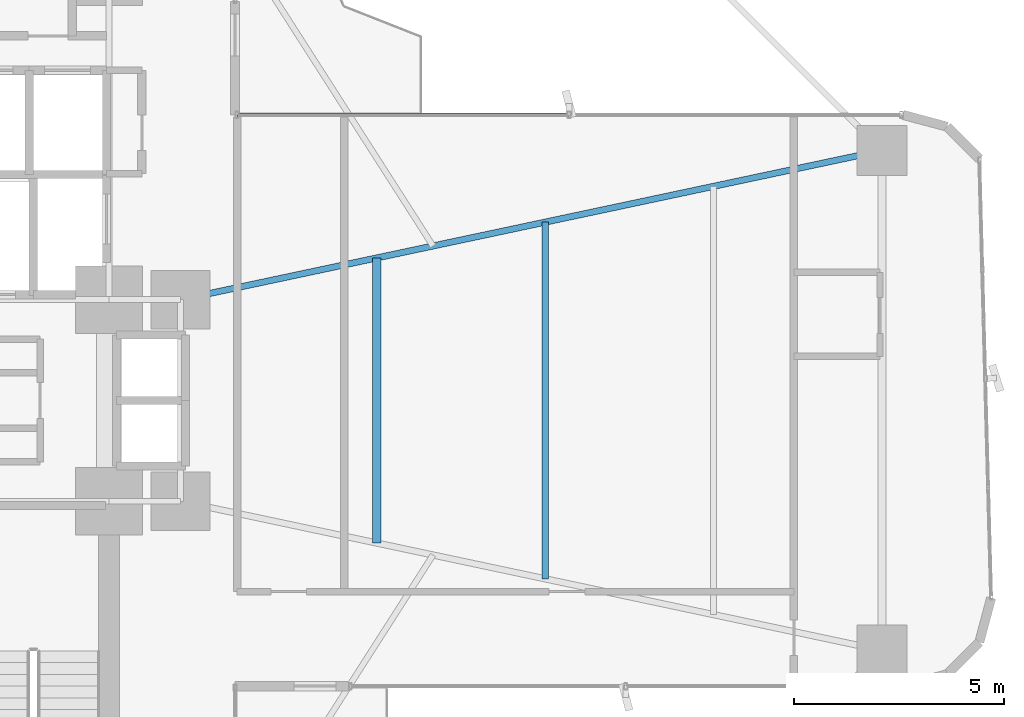
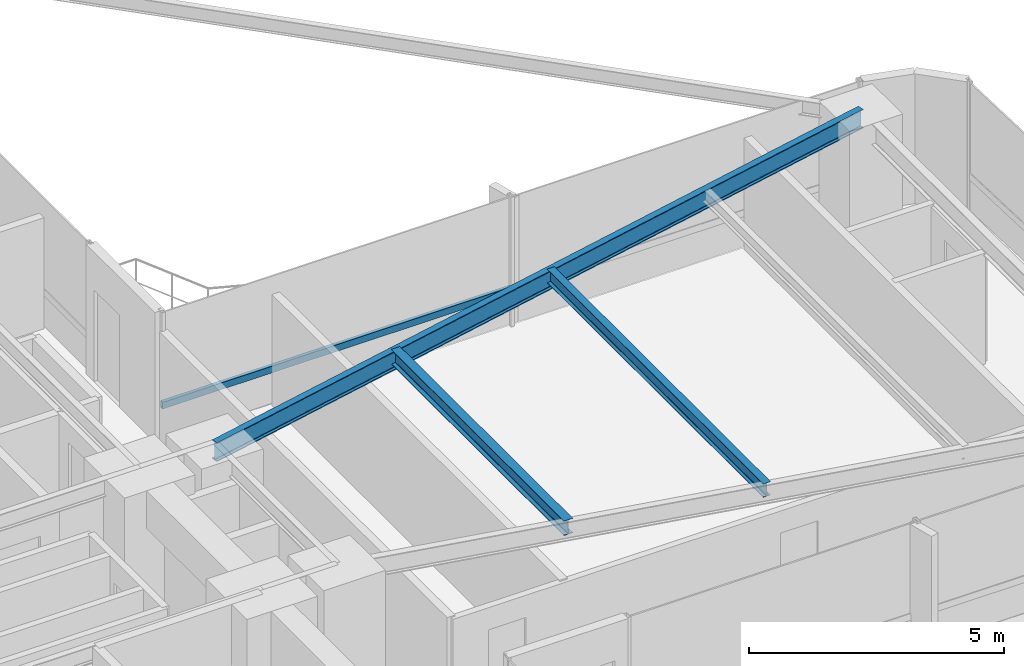
# One storey, part 15 of 25: 3 beams, 1 member, 1 element without a shape of its own.
"""IFC4 building model written with IfcOpenShell, lengths in metres."""

from ifc_helpers import new_model, si_unit, direction, frame, origin, origin_2d, place, context, subcontext, project, spatial, hollow_rectangle, i_section, extrude, source, transform, mapped, material, material_profile, profile_set, type_object, element, aggregate, save


model = new_model("IFC4")

# Units and contexts
model_context = context("Model", 3, precision=1e-05, world=origin(), true_north=direction((0.0, 1.0)))
body_context = subcontext(model_context, "Body", "Model", "MODEL_VIEW")
ifc_project = project(units=[si_unit("LENGTHUNIT", "METRE"), si_unit("AREAUNIT", "SQUARE_METRE"), si_unit("VOLUMEUNIT", "CUBIC_METRE"), si_unit("PLANEANGLEUNIT", "RADIAN"), si_unit("MASSUNIT", "GRAM", prefix="KILO")], contexts=[model_context])

# Site, building, storey
site_placement = place(None, origin())
site = spatial("IfcSite", under=ifc_project, at=site_placement, CompositionType="ELEMENT")
building_placement = place(site_placement, origin())
building = spatial("IfcBuilding", under=site, at=building_placement, Name="Sahyath Konkavel Grand Hotel", CompositionType="ELEMENT")
storey_placement = place(building_placement, frame((0.0, 0.0, 64.449951171875)))
storey = spatial("IfcBuildingStorey", under=building, at=storey_placement, Name="L17", CompositionType="ELEMENT", Elevation=64.449951171875)

# Beams
ifc_material_1 = material(Name="Steel E350", Category="steel")
ifc_material_profile_1 = material_profile(ifc_material_1, i_section(OverallWidth=0.14990234375, OverallDepth=0.449951171875, WebThickness=0.009521484375, FlangeThickness=0.017333984375, FilletRadius=0.014892578125, at=origin_2d()), Name="ISMB 450")
ifc_profile_set_1 = profile_set([ifc_material_profile_1], Name="Steel E350")
beam_type_1 = type_object("IfcBeamType", Name="BM-ISMB450", PredefinedType="BEAM", material=ifc_profile_set_1)
shared_shape_1 = source(origin(), body_context, "Body", "SweptSolid", [
    extrude(i_section(OverallWidth=0.14990234375, OverallDepth=0.449951171875, WebThickness=0.009521484375, FlangeThickness=0.017333984375, FilletRadius=0.014892578125, at=origin_2d()), origin(), (0.0, 0.0, 1.0), 17.072998046875),
])
beam_1_placement = place(storey_placement, frame((5.5, 2.39990234375, 2.885009765625), z_axis=(0.978143257225, 0.20793212437, 0.0), x_axis=(-0.20793212437, 0.978143257225, 0.0)))
element("IfcBeam", 1, at=beam_1_placement, inside=storey, type_object=beam_type_1, Name="L17 Cruciform Radial Girder EB", PredefinedType="BEAM", context=body_context, shape_type="MappedRepresentation", body=[
    mapped(shared_shape_1, transform((0.0, 0.0, 0.0), scale=1.0)),
])
ifc_material_profile_2 = material_profile(ifc_material_1, i_section(OverallWidth=0.199951171875, OverallDepth=0.35009765625, WebThickness=0.008056640625, FlangeThickness=0.011474609375, FilletRadius=0.013916015625, at=origin_2d()), Name="ISWB 350")
ifc_profile_set_2 = profile_set([ifc_material_profile_2], Name="Steel E350")
beam_type_2 = type_object("IfcBeamType", Name="BM-ISWB350", PredefinedType="BEAM", material=ifc_profile_set_2)
shared_shape_2 = source(origin(), body_context, "Body", "SweptSolid", [
    extrude(i_section(OverallWidth=0.199951171875, OverallDepth=0.35009765625, WebThickness=0.008056640625, FlangeThickness=0.011474609375, FilletRadius=0.013916015625, at=origin_2d()), origin(), (0.0, 0.0, 1.0), 6.7880859375),
])
beam_2_placement = place(storey_placement, frame((10.176025390625, -3.39404296875, 2.93505859375), z_axis=(0.0, 1.0, 0.0), x_axis=(-1.0, 0.0, 0.0)))
element("IfcBeam", 2, at=beam_2_placement, inside=storey, type_object=beam_type_2, Name="L17 Secondary Floor Beam E-1", PredefinedType="BEAM", context=body_context, shape_type="MappedRepresentation", body=[
    mapped(shared_shape_2, transform((0.0, 0.0, 0.0), scale=1.0)),
])
ifc_material_profile_3 = material_profile(ifc_material_1, i_section(OverallWidth=0.1650390625, OverallDepth=0.324951171875, WebThickness=0.007080078125, FlangeThickness=0.009765625, FilletRadius=0.014892578125, at=origin_2d()), Name="ISLB 325")
ifc_profile_set_3 = profile_set([ifc_material_profile_3], Name="Steel E350")
beam_type_3 = type_object("IfcBeamType", Name="BM-ISLB325", PredefinedType="BEAM", material=ifc_profile_set_3)
shared_shape_3 = source(origin(), body_context, "Body", "SweptSolid", [
    extrude(i_section(OverallWidth=0.1650390625, OverallDepth=0.324951171875, WebThickness=0.007080078125, FlangeThickness=0.009765625, FilletRadius=0.014892578125, at=origin_2d()), origin(), (0.0, 0.0, 1.0), 8.4921875),
])
beam_3_placement = place(storey_placement, frame((14.18408203125, -4.24609375, 2.947509765625), z_axis=(0.0, 1.0, 0.0), x_axis=(-1.0, 0.0, 0.0)))
element("IfcBeam", 3, at=beam_3_placement, inside=storey, type_object=beam_type_3, Name="L17 Secondary Floor Beam E-2", PredefinedType="BEAM", context=body_context, shape_type="MappedRepresentation", body=[
    mapped(shared_shape_3, transform((0.0, 0.0, 0.0), scale=1.0)),
])

# Curtain wall, member
ifc_material_2 = material(Name="Anodised Bronze Aluminium & Low-E Glazing", Category="aluminium")
curtain_wall_type = type_object("IfcCurtainWallType", Name="CW-ZONE1", PredefinedType="NOTDEFINED", material=ifc_material_2)
curtain_wall_placement = place(storey_placement, origin())
curtain_wall = element("IfcCurtainWall", 4, at=curtain_wall_placement, inside=storey, type_object=curtain_wall_type, Name="L17 Unitised Curtain Wall F7", PredefinedType="NOTDEFINED")
ifc_material_3 = material(Name="Anodised Bronze Aluminium", Category="aluminium")
ifc_material_profile_4 = material_profile(ifc_material_3, hollow_rectangle(XDim=0.080078125, YDim=0.159912109375, WallThickness=0.006103515625, at=origin_2d()), Name="RHS 160x80x6")
ifc_profile_set_4 = profile_set([ifc_material_profile_4], Name="Anodised Bronze Aluminium")
member_type = type_object("IfcMemberType", Name="CW-TRN-160", PredefinedType="USERDEFINED", material=ifc_profile_set_4)
shared_shape_4 = source(origin(), body_context, "Body", "SweptSolid", [
    extrude(hollow_rectangle(XDim=0.080078125, YDim=0.159912109375, WallThickness=0.006103515625, at=origin_2d()), origin(), (0.0, 0.0, 1.0), 7.909912109375),
])
member_placement = place(storey_placement, frame((14.75, 6.800048828125, 0.85009765625), z_axis=(-1.0, 0.0, 0.0), x_axis=(0.0, -1.0, 0.0)))
member = element("IfcMember", 5, at=member_placement, type_object=member_type, Name="L17 Curtain Wall Transom F7-1-spandrel", ObjectType="TRANSOM", PredefinedType="USERDEFINED", context=body_context, shape_type="MappedRepresentation", body=[
    mapped(shared_shape_4, transform((0.0, 0.0, 0.0), scale=1.0)),
])
aggregate(curtain_wall, [member])

save(model, "model.ifc")
